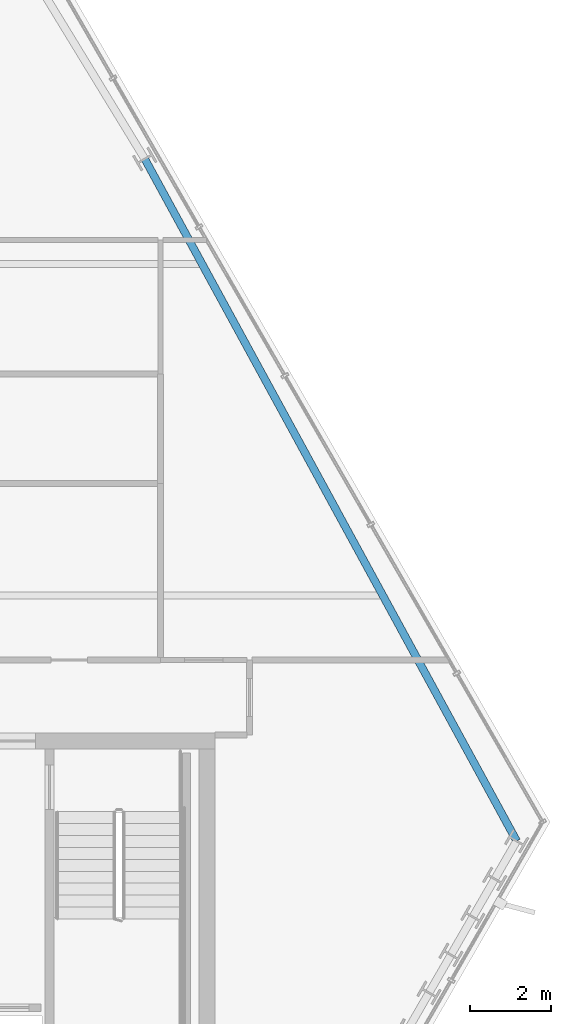
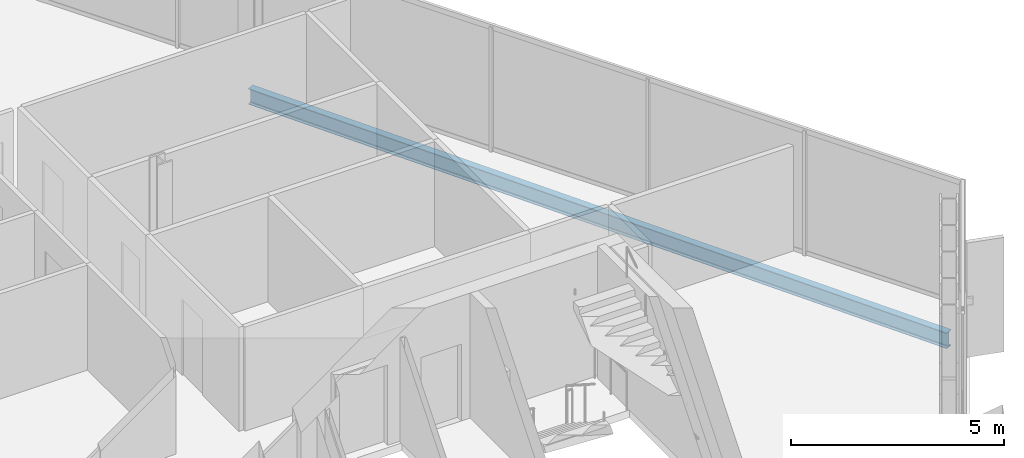
# One storey, part 16 of 34: 1 beam.
"""IFC4 building model written with IfcOpenShell, lengths in metres."""

from ifc_helpers import new_model, si_unit, direction, frame, origin, origin_2d, place, context, subcontext, project, spatial, i_section, extrude, material, material_profile, profile_set, type_object, element, save


model = new_model("IFC4")

# Units and contexts
model_context = context("Model", 3, precision=1e-05, world=origin(), true_north=direction((0.0, 1.0)))
body_context = subcontext(model_context, "Body", "Model", "MODEL_VIEW")
ifc_project = project(units=[si_unit("LENGTHUNIT", "METRE"), si_unit("AREAUNIT", "SQUARE_METRE"), si_unit("VOLUMEUNIT", "CUBIC_METRE"), si_unit("PLANEANGLEUNIT", "RADIAN"), si_unit("MASSUNIT", "GRAM", prefix="KILO")], contexts=[model_context])

# Site, building, storey
site_placement = place(None, origin())
site = spatial("IfcSite", under=ifc_project, at=site_placement, CompositionType="ELEMENT")
building_placement = place(site_placement, origin())
building = spatial("IfcBuilding", under=site, at=building_placement, Name="Ndaravel Arena Tower", CompositionType="ELEMENT")
storey_placement = place(building_placement, frame((0.0, 0.0, 195.39990234375)))
storey = spatial("IfcBuildingStorey", under=building, at=storey_placement, Name="L47", CompositionType="ELEMENT", Elevation=195.39990234375)

# Beam
ifc_material = material(Name="Steel S355", Category="steel")
ifc_material_profile = material_profile(ifc_material, i_section(OverallWidth=0.18994140625, OverallDepth=0.449951171875, WebThickness=0.009521484375, FlangeThickness=0.0146484375, FilletRadius=0.02099609375, at=origin_2d()), Name="IPE 450")
ifc_profile_set = profile_set([ifc_material_profile], Name="Steel S355")
beam_type = type_object("IfcBeamType", Name="BM-SPAN-IPE450", PredefinedType="SPANDREL", material=ifc_profile_set)
beam_placement = place(storey_placement, frame((65.010986328125, 12.5244140625, -0.44482421875), z_axis=(-0.478686591985, 0.8779858465, 0.0), x_axis=(-0.8779858465, -0.478686591985, 0.0)))
element("IfcBeam", 1, at=beam_placement, inside=storey, type_object=beam_type, Name="L47 Perimeter Spandrel Beam SP-09", PredefinedType="SPANDREL", context=body_context, shape_type="SweptSolid", body=[
    extrude(i_section(OverallWidth=0.18994140625, OverallDepth=0.449951171875, WebThickness=0.009521484375, FlangeThickness=0.0146484375, FilletRadius=0.02099609375, at=origin_2d()), origin(), (0.0, 0.0, 1.0), 19.220703125),
])

save(model, "model.ifc")
